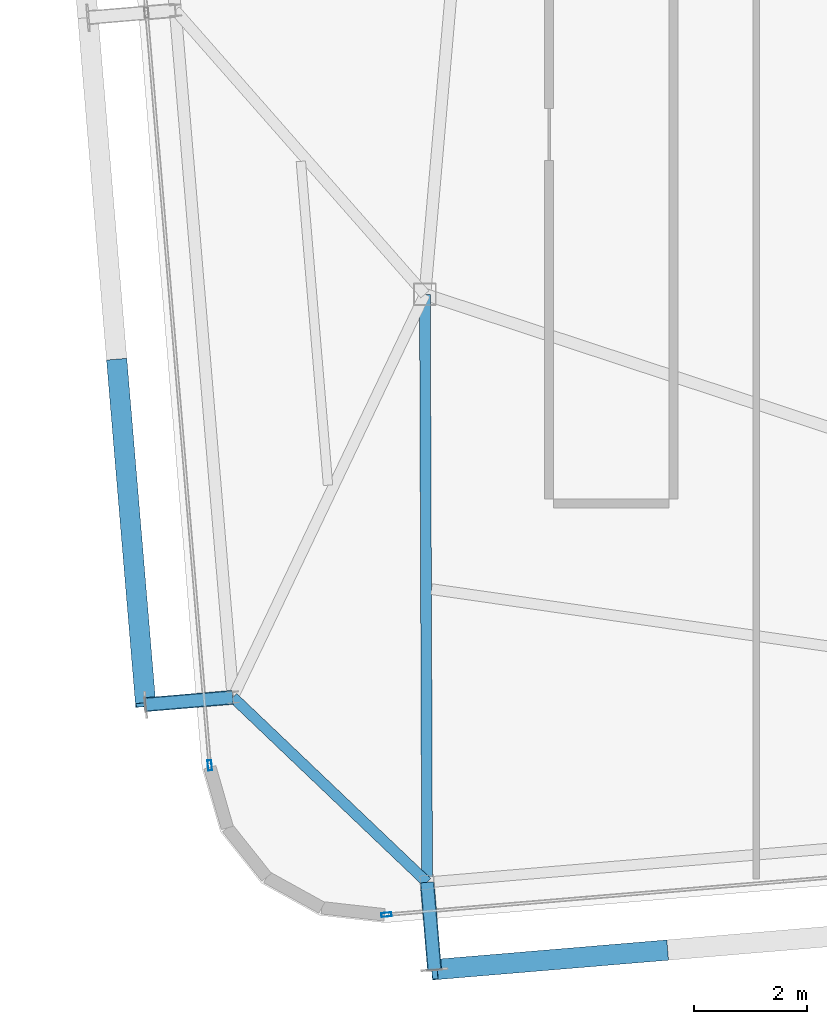
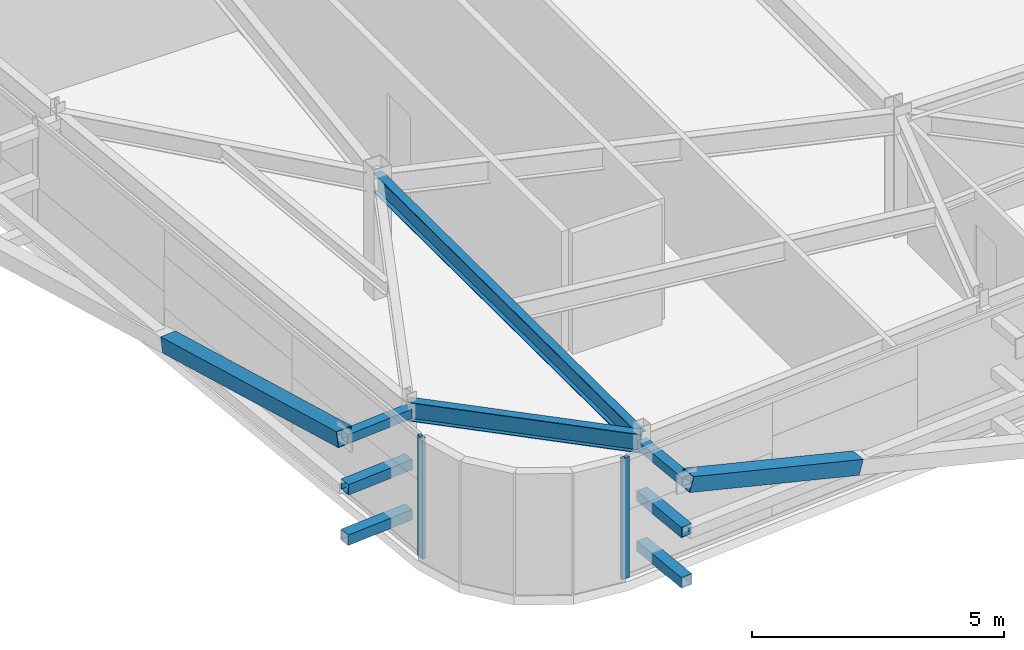
# One storey, part 7 of 37: 10 members, 2 beams, 2 elements without a shape of their own.
"""IFC4 building model written with IfcOpenShell, lengths in metres."""

from ifc_helpers import new_model, si_unit, direction, frame, origin, origin_2d, place, context, subcontext, project, spatial, hollow_rectangle, i_section, extrude, source, transform, mapped, material, layer, layer_set, material_profile, profile_set, type_object, element, aggregate, save


model = new_model("IFC4")

# Units and contexts
model_context = context("Model", 3, precision=1e-05, world=origin(), true_north=direction((0.0, 1.0)))
body_context = subcontext(model_context, "Body", "Model", "MODEL_VIEW")
ifc_project = project(units=[si_unit("LENGTHUNIT", "METRE"), si_unit("AREAUNIT", "SQUARE_METRE"), si_unit("VOLUMEUNIT", "CUBIC_METRE"), si_unit("PLANEANGLEUNIT", "RADIAN"), si_unit("MASSUNIT", "GRAM", prefix="KILO")], contexts=[model_context])

# Site, building, storey
site_placement = place(None, origin())
site = spatial("IfcSite", under=ifc_project, at=site_placement, CompositionType="ELEMENT")
building_placement = place(site_placement, origin())
building = spatial("IfcBuilding", under=site, at=building_placement, Name="Taldren Reach Tower", CompositionType="ELEMENT")
storey_placement = place(building_placement, frame((0.0, 0.0, 200.89990234375)))
storey = spatial("IfcBuildingStorey", under=building, at=storey_placement, Name="L61", CompositionType="ELEMENT", Elevation=200.89990234375)

# Members
ifc_material_1 = material(Name="Steel Gr 350 (C350L0)", Category="steel")
ifc_material_profile_1 = material_profile(ifc_material_1, hollow_rectangle(XDim=0.25, YDim=0.25, WallThickness=0.010009765625, at=origin_2d()), Name="250x250x10.0SHS")
ifc_profile_set_1 = profile_set([ifc_material_profile_1], Name="Steel Gr 350 (C350L0)")
member_type_1 = type_object("IfcMemberType", Name="MB-POST250", PredefinedType="POST", material=ifc_profile_set_1)
shared_shape_1 = source(origin(), body_context, "Body", "SweptSolid", [
    extrude(hollow_rectangle(XDim=0.25, YDim=0.25, WallThickness=0.010009765625, at=origin_2d()), origin(), (0.0, 0.0, 1.0), 1.5498046875),
])
for number, where, z_axis, x_axis, name in (
    (1, (18.03955078125, 2.093994140625, 0.22021484375), (0.083801560254, -0.996482462715, 0.0), (0.996482462715, 0.083801560254, 0.0), "Exoskeleton base diaphragm tie strut B4-S1 L61"),
    (2, (18.03955078125, 2.093994140625, 1.43505859375), (0.083801560254, -0.996482462715, 0.0), (0.996482462715, 0.083801560254, 0.0), "Exoskeleton mid-tier diaphragm tie B4-S1 L61"),
):
    element("IfcMember", number, at=place(storey_placement, frame(where, z_axis=z_axis, x_axis=x_axis)), inside=storey, type_object=member_type_1, Name=name, PredefinedType="POST", context=body_context, shape_type="MappedRepresentation", body=[
        mapped(shared_shape_1, transform((0.0, 0.0, 0.0), scale=1.0)),
    ])

# Beams
ifc_material_2 = material(Name="Steel Gr 350 (350PLUS)", Category="steel")
ifc_material_profile_2 = material_profile(ifc_material_2, i_section(OverallWidth=0.18994140625, OverallDepth=0.4541015625, WebThickness=0.008544921875, FlangeThickness=0.0126953125, at=origin_2d()), Name="460UB67.1")
ifc_profile_set_2 = profile_set([ifc_material_profile_2], Name="Steel Gr 350 (350PLUS)")
beam_type_1 = type_object("IfcBeamType", Name="SP-UB460B", PredefinedType="SPANDREL", material=ifc_profile_set_2)
shared_shape_2 = source(origin(), body_context, "Body", "SweptSolid", [
    extrude(i_section(OverallWidth=0.18994140625, OverallDepth=0.4541015625, WebThickness=0.008544921875, FlangeThickness=0.0126953125, at=origin_2d()), origin(), (0.0, 0.0, 1.0), 4.745849609375),
])
beam_1_placement = place(storey_placement, frame((14.603759765625, 5.367919921875, 2.703125), z_axis=(0.723954399605, -0.689847829084, 0.0), x_axis=(0.689847829084, 0.723954399605, 0.0)))
element("IfcBeam", 3, at=beam_1_placement, inside=storey, type_object=beam_type_1, Name="Perimeter spandrel B4 W1-S1 L61", PredefinedType="SPANDREL", context=body_context, shape_type="MappedRepresentation", body=[
    mapped(shared_shape_2, transform((0.0, 0.0, 0.0), scale=1.0)),
])
ifc_material_profile_3 = material_profile(ifc_material_2, i_section(OverallWidth=0.19091796875, OverallDepth=0.4599609375, WebThickness=0.010009765625, FlangeThickness=0.01611328125, at=origin_2d()), Name="460UB82.1")
ifc_profile_set_3 = profile_set([ifc_material_profile_3], Name="Steel Gr 350 (350PLUS)")
beam_type_2 = type_object("IfcBeamType", Name="BM-UB460A", PredefinedType="BEAM", material=ifc_profile_set_3)
shared_shape_3 = source(origin(), body_context, "Body", "SweptSolid", [
    extrude(i_section(OverallWidth=0.19091796875, OverallDepth=0.4599609375, WebThickness=0.010009765625, FlangeThickness=0.01611328125, at=origin_2d()), origin(), (0.0, 0.0, 1.0), 10.406005859375),
])
beam_2_placement = place(storey_placement, frame((18.0, 12.5, 2.7001953125), z_axis=(0.003800737393, -0.999992777172, 0.0), x_axis=(0.999992777172, 0.003800737393, 0.0)))
element("IfcBeam", 4, at=beam_2_placement, inside=storey, type_object=beam_type_2, Name="Primary floor girder B4-S1 L61", PredefinedType="BEAM", context=body_context, shape_type="MappedRepresentation", body=[
    mapped(shared_shape_3, transform((0.0, 0.0, 0.0), scale=1.0)),
])

# Members
ifc_material_3 = material(Name="Steel Gr 450 (C450L0)", Category="steel")
ifc_material_profile_4 = material_profile(ifc_material_3, hollow_rectangle(XDim=0.219970703125, YDim=0.219970703125, WallThickness=0.00830078125, at=origin_2d()), Name="220x220x8.2SHS")
ifc_profile_set_4 = profile_set([ifc_material_profile_4], Name="Steel Gr 450 (C450L0)")
member_type_2 = type_object("IfcMemberType", Name="MB-TIE219", PredefinedType="STRUT", material=ifc_profile_set_4)
shared_shape_4 = source(origin(), body_context, "Body", "SweptSolid", [
    extrude(hollow_rectangle(XDim=0.219970703125, YDim=0.219970703125, WallThickness=0.00830078125, at=origin_2d()), origin(), (0.0, 0.0, 1.0), 1.5498046875),
])
member_1_placement = place(storey_placement, frame((18.03955078125, 2.093994140625, 2.650146484375), z_axis=(0.083801560254, -0.996482462715, 0.0), x_axis=(0.996482462715, 0.083801560254, 0.0)))
element("IfcMember", 5, at=member_1_placement, inside=storey, type_object=member_type_2, Name="Exoskeleton diaphragm tie strut B4-S1 L61", PredefinedType="STRUT", context=body_context, shape_type="MappedRepresentation", body=[
    mapped(shared_shape_4, transform((0.0, 0.0, 0.0), scale=1.0)),
])
shared_shape_5 = source(origin(), body_context, "Body", "SweptSolid", [
    extrude(hollow_rectangle(XDim=0.219970703125, YDim=0.219970703125, WallThickness=0.00830078125, at=origin_2d()), origin(), (0.0, 0.0, 1.0), 1.54541015625),
])
member_2_placement = place(storey_placement, frame((14.59912109375, 5.36767578125, 2.650146484375), z_axis=(-0.99648887425, -0.083725285883, 0.0), x_axis=(0.083725285883, -0.99648887425, 0.0)))
element("IfcMember", 6, at=member_2_placement, inside=storey, type_object=member_type_2, Name="Exoskeleton diaphragm tie strut B4-W1 L61", PredefinedType="STRUT", context=body_context, shape_type="MappedRepresentation", body=[
    mapped(shared_shape_5, transform((0.0, 0.0, 0.0), scale=1.0)),
])
shared_shape_6 = source(origin(), body_context, "Body", "SweptSolid", [
    extrude(hollow_rectangle(XDim=0.25, YDim=0.25, WallThickness=0.010009765625, at=origin_2d()), origin(), (0.0, 0.0, 1.0), 1.54541015625),
])
for number, where, z_axis, x_axis, name in (
    (7, (14.59912109375, 5.36767578125, 0.22021484375), (-0.99648887425, -0.083725285883, 0.0), (0.083725285883, -0.99648887425, 0.0), "Exoskeleton base diaphragm tie strut B4-W1 L61"),
    (8, (14.59912109375, 5.36767578125, 1.43505859375), (-0.99648887425, -0.083725285883, 0.0), (0.083725285883, -0.99648887425, 0.0), "Exoskeleton mid-tier diaphragm tie B4-W1 L61"),
):
    element("IfcMember", number, at=place(storey_placement, frame(where, z_axis=z_axis, x_axis=x_axis)), inside=storey, type_object=member_type_1, Name=name, PredefinedType="POST", context=body_context, shape_type="MappedRepresentation", body=[
        mapped(shared_shape_6, transform((0.0, 0.0, 0.0), scale=1.0)),
    ])
ifc_material_profile_5 = material_profile(ifc_material_3, hollow_rectangle(XDim=0.360107421875, YDim=0.360107421875, WallThickness=0.0126953125, at=origin_2d()), Name="360x360x12.7SHS")
ifc_profile_set_5 = profile_set([ifc_material_profile_5], Name="Steel Gr 450 (C450L0)")
member_type_3 = type_object("IfcMemberType", Name="MB-EXO356", PredefinedType="BRACE", material=ifc_profile_set_5)
shared_shape_7 = source(origin(), body_context, "Body", "SweptSolid", [
    extrude(hollow_rectangle(XDim=0.360107421875, YDim=0.360107421875, WallThickness=0.0126953125, at=origin_2d()), origin(), (0.0, 0.0, 1.0), 4.2666015625),
])
member_3_placement = place(storey_placement, frame((22.2451171875, 0.8916015625, 1.43505859375), z_axis=(-0.955233542365, -0.080165460216, 0.28478479336), x_axis=(0.083628388178, -0.996497010879, 0.0)))
element("IfcMember", 9, at=member_3_placement, inside=storey, type_object=member_type_3, Name="Exoskeleton Diagrid Brace B4-S1 L61", PredefinedType="BRACE", context=body_context, shape_type="MappedRepresentation", body=[
    mapped(shared_shape_7, transform((0.0, 0.0, 0.0), scale=1.0)),
])
shared_shape_8 = source(origin(), body_context, "Body", "SweptSolid", [
    extrude(hollow_rectangle(XDim=0.360107421875, YDim=0.360107421875, WallThickness=0.0126953125, at=origin_2d()), origin(), (0.0, 0.0, 1.0), 6.219970703125),
])
member_4_placement = place(storey_placement, frame((12.548583984375, 11.31689453125, 1.43505859375), z_axis=(0.082075564879, -0.977291924611, 0.195356330179), x_axis=(0.996492003099, 0.083688038336, 0.0)))
element("IfcMember", 10, at=member_4_placement, inside=storey, type_object=member_type_3, Name="Exoskeleton Diagrid Brace B4-W1 L61", PredefinedType="BRACE", context=body_context, shape_type="MappedRepresentation", body=[
    mapped(shared_shape_8, transform((0.0, 0.0, 0.0), scale=1.0)),
])

# Curtain wall, member
ifc_material_4 = material(Name="Aluminium and Low-E Glass Unitised System", Category="aluminium")
ifc_layer = layer(ifc_material_4, 0.159912109375)
ifc_layer_set = layer_set([ifc_layer], Name="Aluminium and Low-E Glass Unitised System")
curtain_wall_type = type_object("IfcCurtainWallType", Name="CW-SYS-5", PredefinedType="NOTDEFINED", material=ifc_layer_set)
curtain_wall_1_placement = place(storey_placement, origin())
curtain_wall_1 = element("IfcCurtainWall", 11, at=curtain_wall_1_placement, inside=storey, type_object=curtain_wall_type, Name="Unitised curtain wall CW-L61-S", PredefinedType="NOTDEFINED")
ifc_material_5 = material(Name="Anodised Aluminium 6063-T6", Category="aluminium")
ifc_material_profile_6 = material_profile(ifc_material_5, hollow_rectangle(XDim=0.070068359375, YDim=0.179931640625, WallThickness=0.00390625, at=origin_2d()), Name="ALU-180x70x4RHS")
ifc_profile_set_6 = profile_set([ifc_material_profile_6], Name="Anodised Aluminium 6063-T6")
member_type_4 = type_object("IfcMemberType", Name="CW-MUL-180", PredefinedType="MULLION", material=ifc_profile_set_6)
shared_shape_9 = source(origin(), body_context, "Body", "SweptSolid", [
    extrude(hollow_rectangle(XDim=0.070068359375, YDim=0.179931640625, WallThickness=0.00390625, at=origin_2d()), origin(), (0.0, 0.0, 1.0), 2.93017578125),
])
member_5_placement = place(storey_placement, frame((17.320068359375, 1.521728515625, 0.0), z_axis=(0.0, 0.0, 1.0), x_axis=(-0.083677894865, 0.996492854922, 0.0)))
member_5 = element("IfcMember", 12, at=member_5_placement, type_object=member_type_4, Name="CW-5 mullion 1", PredefinedType="MULLION", context=body_context, shape_type="MappedRepresentation", body=[
    mapped(shared_shape_9, transform((0.0, 0.0, 0.0), scale=1.0)),
])
aggregate(curtain_wall_1, [member_5])

curtain_wall_2_placement = place(storey_placement, origin())
curtain_wall_2 = element("IfcCurtainWall", 13, at=curtain_wall_2_placement, inside=storey, type_object=curtain_wall_type, Name="Unitised curtain wall CW-L61-W", PredefinedType="NOTDEFINED")
member_6_placement = place(storey_placement, frame((14.19287109375, 4.164306640625, 0.0), z_axis=(0.0, 0.0, 1.0), x_axis=(0.996492847789, 0.083677979808, 0.0)))
member_6 = element("IfcMember", 14, at=member_6_placement, type_object=member_type_4, Name="CW-5 mullion 3", PredefinedType="MULLION", context=body_context, shape_type="MappedRepresentation", body=[
    mapped(shared_shape_9, transform((0.0, 0.0, 0.0), scale=1.0)),
])
aggregate(curtain_wall_2, [member_6])

save(model, "model.ifc")
